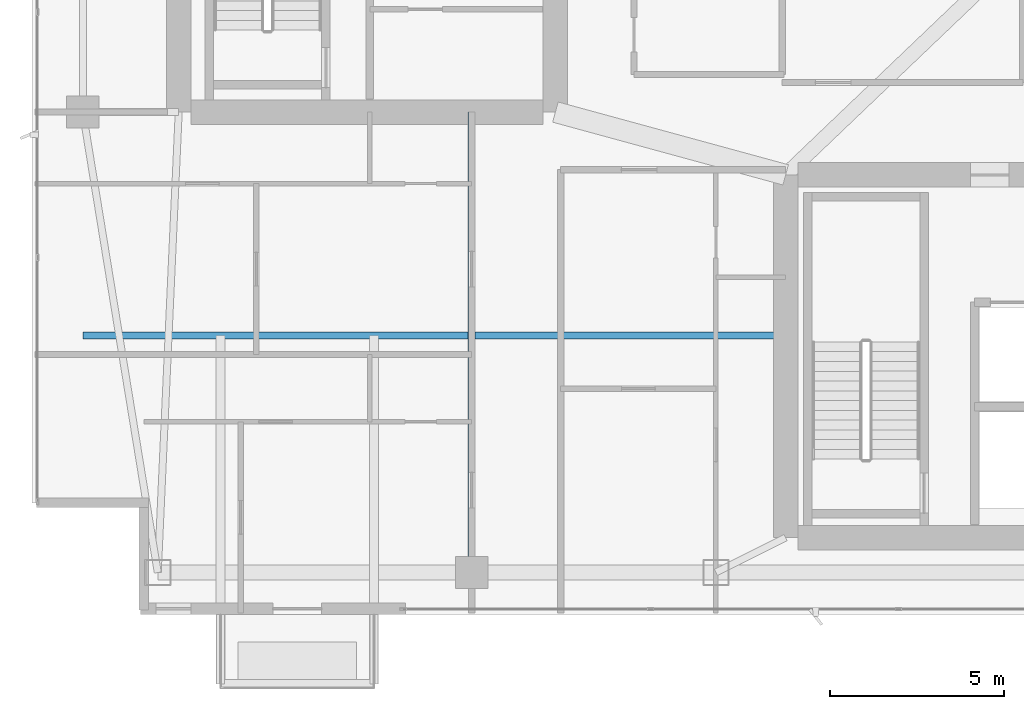
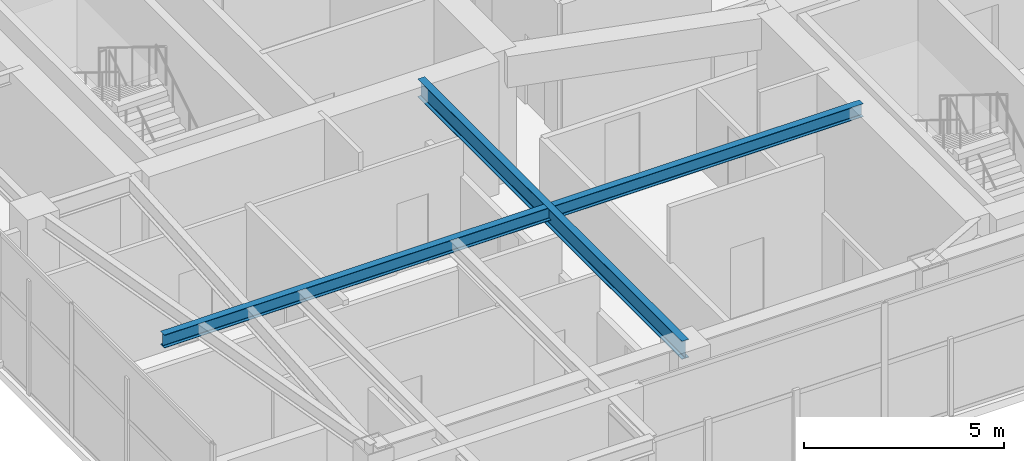
# One storey, part 5 of 27: 2 beams.
"""IFC4 building model written with IfcOpenShell, lengths in metres."""

from ifc_helpers import new_model, si_unit, direction, frame, origin, origin_2d, place, context, subcontext, project, spatial, i_section, extrude, material, material_profile, profile_set, type_object, element, save


model = new_model("IFC4")

# Units and contexts
model_context = context("Model", 3, precision=1e-05, world=origin(), true_north=direction((0.0, 1.0)))
body_context = subcontext(model_context, "Body", "Model", "MODEL_VIEW")
ifc_project = project(units=[si_unit("LENGTHUNIT", "METRE"), si_unit("AREAUNIT", "SQUARE_METRE"), si_unit("VOLUMEUNIT", "CUBIC_METRE"), si_unit("PLANEANGLEUNIT", "RADIAN"), si_unit("MASSUNIT", "GRAM", prefix="KILO")], contexts=[model_context])

# Site, building, storey
site_placement = place(None, origin())
site = spatial("IfcSite", under=ifc_project, at=site_placement, CompositionType="ELEMENT")
building_placement = place(site_placement, origin())
building = spatial("IfcBuilding", under=site, at=building_placement, Name="Calvorn Quay Hotel", CompositionType="ELEMENT")
storey_placement = place(building_placement, frame((0.0, 0.0, 239.300048828125)))
storey = spatial("IfcBuildingStorey", under=building, at=storey_placement, Name="L59", CompositionType="ELEMENT", Elevation=239.300048828125)

# Beams
ifc_material_1 = material(Name="Steel Q355B", Category="steel")
ifc_material_profile_1 = material_profile(ifc_material_1, i_section(OverallWidth=0.199951171875, OverallDepth=0.550048828125, WebThickness=0.010009765625, FlangeThickness=0.01611328125, FilletRadius=0.01806640625, at=origin_2d()), Name="HN550x200x10x16")
ifc_profile_set_1 = profile_set([ifc_material_profile_1], Name="Steel Q355B")
beam_type_1 = type_object("IfcBeamType", Name="BM-GIRD-UPP", PredefinedType="BEAM", material=ifc_profile_set_1)
beam_1_placement = place(storey_placement, frame((12.60009765625, 3.60009765625, 3.77490234375), z_axis=(0.0, 1.0, 0.0), x_axis=(-1.0, 0.0, 0.0)))
element("IfcBeam", 1, at=beam_1_placement, inside=storey, type_object=beam_type_1, Name="Beam BG-L59-S1", PredefinedType="BEAM", context=body_context, shape_type="SweptSolid", body=[
    extrude(i_section(OverallWidth=0.199951171875, OverallDepth=0.550048828125, WebThickness=0.010009765625, FlangeThickness=0.01611328125, FilletRadius=0.01806640625, at=origin_2d()), origin(), (0.0, 0.0, 1.0), 13.199951171875),
])
ifc_material_2 = material(Name="Steel Q355B", Category="steel")
ifc_material_profile_2 = material_profile(ifc_material_2, i_section(OverallWidth=0.199951171875, OverallDepth=0.39990234375, WebThickness=0.008056640625, FlangeThickness=0.012939453125, FilletRadius=0.01611328125, at=origin_2d()), Name="HN400x200x8x13")
ifc_profile_set_2 = profile_set([ifc_material_profile_2], Name="Steel Q355B")
beam_type_2 = type_object("IfcBeamType", Name="BM-JOIST-TYP", PredefinedType="JOIST", material=ifc_profile_set_2)
beam_2_placement = place(storey_placement, frame((1.449951171875, 10.39990234375, 3.849853515625), z_axis=(1.0, 0.0, 0.0), x_axis=(0.0, 1.0, 0.0)))
element("IfcBeam", 2, at=beam_2_placement, inside=storey, type_object=beam_type_2, Name="Beam BJ-L59-W1", PredefinedType="JOIST", context=body_context, shape_type="SweptSolid", body=[
    extrude(i_section(OverallWidth=0.199951171875, OverallDepth=0.39990234375, WebThickness=0.008056640625, FlangeThickness=0.012939453125, FilletRadius=0.01611328125, at=origin_2d()), origin(), (0.0, 0.0, 1.0), 20.150146484375),
])

save(model, "model.ifc")
